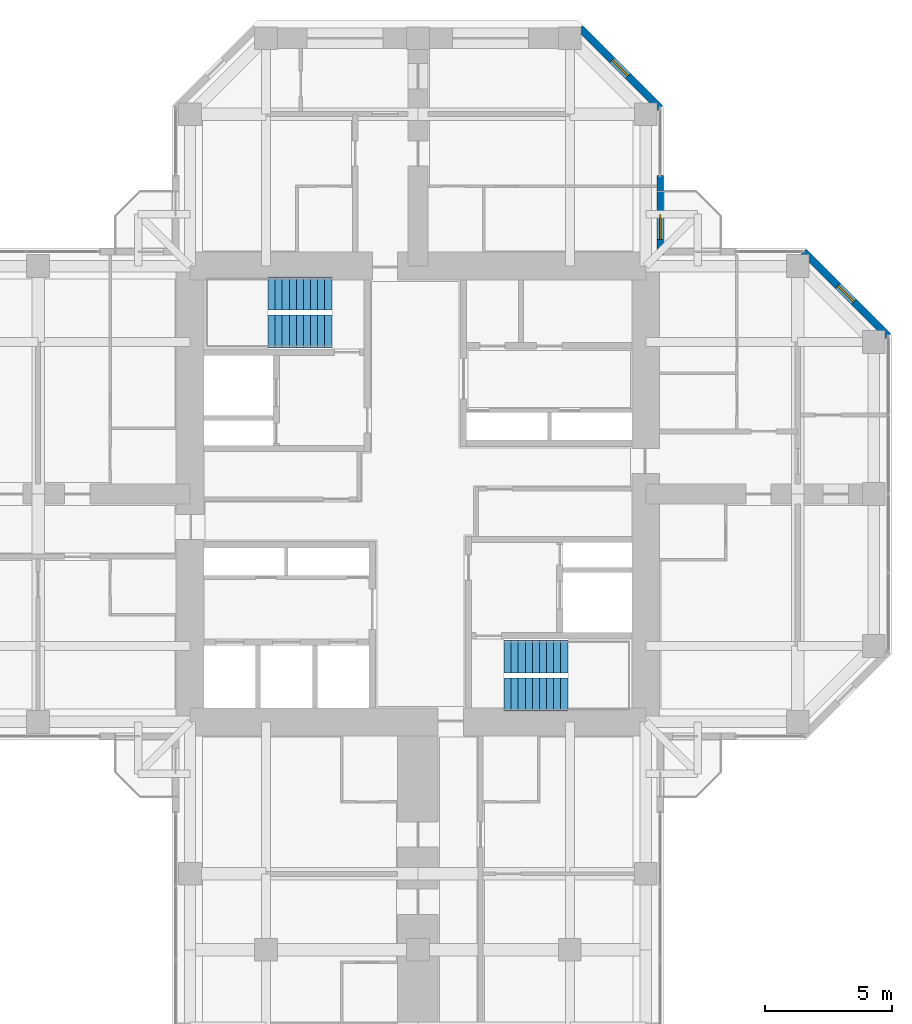
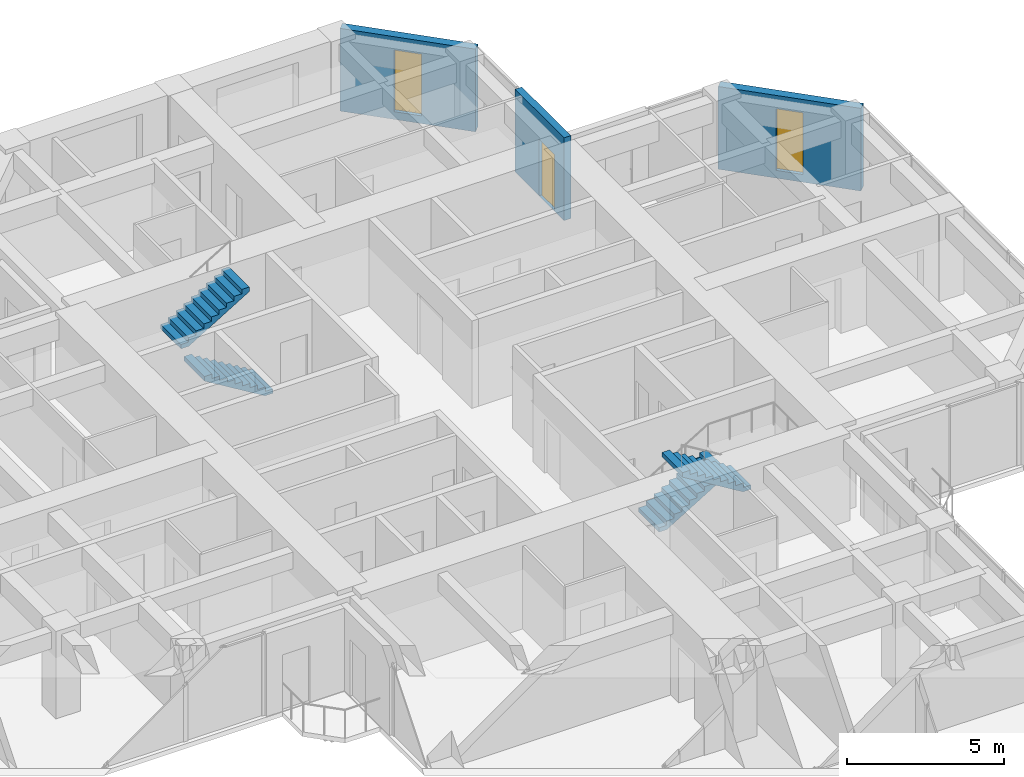
# One storey, part 13 of 14: 4 stair flights, 3 walls, 2 windows, 1 door, 3 openings, 2 elements without a shape of their own.
"""IFC4 building model written with IfcOpenShell, lengths in metres."""

from ifc_helpers import new_model, si_unit, direction, frame, frame_2d, origin, place, context, subcontext, project, spatial, polyline, rectangle, hollow_rectangle, outline, extrude, material, layer, layer_set, constituent, constituent_set, type_object, element, fill, aggregate, save


model = new_model("IFC4")

# Units and contexts
model_context = context("Model", 3, precision=1e-05, world=origin(), true_north=direction((0.0, 1.0)))
body_context = subcontext(model_context, "Body", "Model", "MODEL_VIEW")
ifc_project = project(units=[si_unit("LENGTHUNIT", "METRE"), si_unit("AREAUNIT", "SQUARE_METRE"), si_unit("VOLUMEUNIT", "CUBIC_METRE"), si_unit("PLANEANGLEUNIT", "RADIAN"), si_unit("MASSUNIT", "GRAM", prefix="KILO")], contexts=[model_context])

# Site, building, storey
site_placement = place(None, origin())
site = spatial("IfcSite", under=ifc_project, at=site_placement, CompositionType="ELEMENT")
building_placement = place(site_placement, origin())
building = spatial("IfcBuilding", under=site, at=building_placement, Name="Torre Cruceta", CompositionType="ELEMENT")
storey_placement = place(building_placement, frame((0.0, 0.0, 200.10009765625)))
storey = spatial("IfcBuildingStorey", under=building, at=storey_placement, Name="L50", CompositionType="ELEMENT", Elevation=200.10009765625)

# Wall, opening, window
ifc_material_1 = material(Name="Concrete G30 (fck 30 MPa)", Category="concrete")
ifc_layer_1 = layer(ifc_material_1, 0.300048828125)
ifc_layer_set_1 = layer_set([ifc_layer_1], Name="Concrete G30 (fck 30 MPa)")
wall_type_1 = type_object("IfcWallType", Name="EXPOSED CONCRETE FACADE WALL 300", PredefinedType="SOLIDWALL", material=ifc_layer_set_1)
wall_1_placement = place(storey_placement, frame((18.570068359375, 6.236083984375, 0.0), z_axis=(0.0, 0.0, 1.0), x_axis=(-0.707106781187, 0.707106781187, 0.0)))
wall_1 = element("IfcWall", 1, at=wall_1_placement, inside=storey, type_object=wall_type_1, Name="EW1 facade wall L50 E chamfer 03", PredefinedType="SOLIDWALL", context=body_context, shape_type="SweptSolid", body=[
    extrude(rectangle(XDim=4.715087890625, YDim=0.300048828125, at=frame_2d((2.357421875, 0.0))), origin(), (0.0, 0.0, 1.0), 3.219970703125),
])
opening_1_placement = place(wall_1_placement, frame((1.907470703125, 0.0, 0.300048828125)))
opening_1 = element("IfcOpeningElement", 2, at=opening_1_placement, cuts=wall_1, Name="Opening WN5", PredefinedType="OPENING", context=body_context, shape_type="SweptSolid", body=[
    extrude(rectangle(XDim=0.89990234375, YDim=2.39990234375, at=frame_2d((0.449951171875, 1.199951171875))), frame((0.0, 0.159912109375, 0.0), z_axis=(0.0, -1.0, 0.0), x_axis=(1.0, 0.0, 0.0)), (0.0, 0.0, 1.0), 0.320068359375),
])
ifc_material_2 = material(Name="Aluminium window frame", Category="aluminium")
ifc_constituent_1 = constituent(ifc_material_2, Name="Frame")
ifc_material_3 = material(Name="Laminated insulating glass unit, low-iron clear", Category="glass")
ifc_constituent_2 = constituent(ifc_material_3, Name="Glazing")
ifc_constituent_set_1 = constituent_set(constituents=[ifc_constituent_1, ifc_constituent_2], Name="Aluminium window")
window_type = type_object("IfcWindowType", Name="CHAMFER SLOT WINDOW 900X2400", PartitioningType="SINGLE_PANEL", PredefinedType="WINDOW", material=ifc_constituent_set_1)
window_1_placement = place(opening_1_placement, origin())
window_1 = element("IfcWindow", 3, at=window_1_placement, inside=storey, type_object=window_type, Name="WN5 L50 E 1", OverallHeight=2.39990234375, OverallWidth=0.89990234375, PartitioningType="SINGLE_PANEL", PredefinedType="WINDOW", context=body_context, shape_type="SweptSolid", body=[
    extrude(hollow_rectangle(XDim=0.89990234375, YDim=2.39990234375, WallThickness=0.06005859375, at=frame_2d((0.449951171875, 1.199951171875))), frame((0.0, 0.030029296875, 0.0), z_axis=(0.0, -1.0, 0.0), x_axis=(1.0, 0.0, 0.0)), (0.0, 0.0, 1.0), 0.06005859375),
    extrude(rectangle(XDim=0.77880859375, YDim=2.27880859375, at=frame_2d((0.449951171875, 1.199951171875))), frame((0.0, 0.030029296875, 0.0), z_axis=(0.0, -1.0, 0.0), x_axis=(1.0, 0.0, 0.0)), (0.0, 0.0, 1.0), 0.06005859375),
])
fill(opening_1, window_1)

wall_2_placement = place(storey_placement, frame((9.570068359375, 15.236083984375, 0.0), z_axis=(0.0, 0.0, 1.0), x_axis=(-0.707134062067, 0.707079499254, 0.0)))
wall_2 = element("IfcWall", 4, at=wall_2_placement, inside=storey, type_object=wall_type_1, Name="EW1 facade wall L50 N chamfer 06", PredefinedType="SOLIDWALL", context=body_context, shape_type="SweptSolid", body=[
    extrude(rectangle(XDim=4.474609375, YDim=0.300048828125, at=frame_2d((2.2373046875, 0.0))), origin(), (0.0, 0.0, 1.0), 3.219970703125),
])
opening_2_placement = place(wall_2_placement, frame((1.787109375, 0.0, 0.300048828125)))
opening_2 = element("IfcOpeningElement", 5, at=opening_2_placement, cuts=wall_2, Name="Opening WN5", PredefinedType="OPENING", context=body_context, shape_type="SweptSolid", body=[
    extrude(rectangle(XDim=0.89990234375, YDim=2.39990234375, at=frame_2d((0.449951171875, 1.199951171875))), frame((0.0, 0.159912109375, 0.0), z_axis=(0.0, -1.0, 0.0), x_axis=(1.0, 0.0, 0.0)), (0.0, 0.0, 1.0), 0.320068359375),
])
window_2_placement = place(opening_2_placement, origin())
window_2 = element("IfcWindow", 6, at=window_2_placement, inside=storey, type_object=window_type, Name="WN5 L50 N 1", OverallHeight=2.39990234375, OverallWidth=0.89990234375, PartitioningType="SINGLE_PANEL", PredefinedType="WINDOW", context=body_context, shape_type="SweptSolid", body=[
    extrude(hollow_rectangle(XDim=0.89990234375, YDim=2.39990234375, WallThickness=0.06005859375, at=frame_2d((0.449951171875, 1.199951171875))), frame((0.0, 0.030029296875, 0.0), z_axis=(0.0, -1.0, 0.0), x_axis=(1.0, 0.0, 0.0)), (0.0, 0.0, 1.0), 0.06005859375),
    extrude(rectangle(XDim=0.77880859375, YDim=2.27880859375, at=frame_2d((0.449951171875, 1.199951171875))), frame((0.0, 0.030029296875, 0.0), z_axis=(0.0, -1.0, 0.0), x_axis=(1.0, 0.0, 0.0)), (0.0, 0.0, 1.0), 0.06005859375),
])
fill(opening_2, window_2)

# Wall, opening, door
ifc_material_4 = material(Name="Concrete G30 (fck 30 MPa)", Category="concrete")
ifc_layer_2 = layer(ifc_material_4, 0.25)
ifc_layer_set_2 = layer_set([ifc_layer_2], Name="Concrete G30 (fck 30 MPa)")
wall_type_2 = type_object("IfcWallType", Name="WINTER GARDEN WALL 250", PredefinedType="SOLIDWALL", material=ifc_layer_set_2)
wall_3_placement = place(storey_placement, frame((9.570068359375, 9.445068359375, 0.0), z_axis=(0.0, 0.0, 1.0), x_axis=(0.0, 1.0, 0.0)))
wall_3 = element("IfcWall", 7, at=wall_3_placement, inside=storey, type_object=wall_type_2, Name="EW2 winter garden wall L50 05", PredefinedType="SOLIDWALL", context=body_context, shape_type="SweptSolid", body=[
    extrude(rectangle(XDim=3.125, YDim=0.25, at=frame_2d((1.5625, 0.0))), origin(), (0.0, 0.0, 1.0), 3.219970703125),
])
opening_3_placement = place(wall_3_placement, frame((0.60009765625, 0.0, 0.0)))
opening_3 = element("IfcOpeningElement", 8, at=opening_3_placement, cuts=wall_3, Name="Opening D10", PredefinedType="OPENING", context=body_context, shape_type="SweptSolid", body=[
    extrude(rectangle(XDim=1.0, YDim=2.199951171875, at=frame_2d((0.5, 1.10009765625))), frame((0.0, 0.135009765625, 0.0), z_axis=(0.0, -1.0, 0.0), x_axis=(1.0, 0.0, 0.0)), (0.0, 0.0, 1.0), 0.27001953125),
])
ifc_material_5 = material(Name="Aluminium door frame", Category="aluminium")
ifc_constituent_3 = constituent(ifc_material_5, Name="Frame")
ifc_material_6 = material(Name="Laminated safety glass", Category="glass")
ifc_constituent_4 = constituent(ifc_material_6, Name="Glazing")
ifc_constituent_set_2 = constituent_set(constituents=[ifc_constituent_3, ifc_constituent_4], Name="Aluminium glazed door")
door_type = type_object("IfcDoorType", Name="BALCONY DOOR 1000X2200", OperationType="SINGLE_SWING_RIGHT", PredefinedType="DOOR", material=ifc_constituent_set_2)
door_placement = place(opening_3_placement, origin())
door = element("IfcDoor", 9, at=door_placement, inside=storey, type_object=door_type, Name="D10 balcony door L50 05", OperationType="SINGLE_SWING_LEFT", OverallHeight=2.199951171875, OverallWidth=1.0, PredefinedType="DOOR", context=body_context, shape_type="SweptSolid", body=[
    extrude(hollow_rectangle(XDim=1.0, YDim=2.199951171875, WallThickness=0.06005859375, at=frame_2d((0.5, 1.10009765625))), frame((0.0, 0.02490234375, 0.0), z_axis=(0.0, -1.0, 0.0), x_axis=(1.0, 0.0, 0.0)), (0.0, 0.0, 1.0), 0.050048828125),
    extrude(rectangle(XDim=0.87890625, YDim=2.078857421875, at=frame_2d((0.5, 1.10009765625))), frame((0.0, 0.02490234375, 0.0), z_axis=(0.0, -1.0, 0.0), x_axis=(1.0, 0.0, 0.0)), (0.0, 0.0, 1.0), 0.050048828125),
])
fill(opening_3, door)

# Stair, stair flights
ifc_material_7 = material(Name="Concrete G30 (fck 30 MPa)", Category="concrete")
stair_type = type_object("IfcStairType", Name="STAIR HALF-TURN 1300", PredefinedType="HALF_TURN_STAIR", material=ifc_material_7)
stair_1_placement = place(storey_placement, origin())
stair_1 = element("IfcStair", 10, at=stair_1_placement, inside=storey, type_object=stair_type, Name="Stair ST1 L50", PredefinedType="HALF_TURN_STAIR")
ifc_material_8 = material(Name="Concrete G30 (fck 30 MPa)", Category="concrete")
stair_flight_type = type_object("IfcStairFlightType", Name="STAIR FLIGHT 1300", PredefinedType="STRAIGHT", material=ifc_material_8)
stair_flight_1_placement = place(storey_placement, frame((-3.39990234375, 6.425048828125, 0.0), z_axis=(0.0, 0.0, 1.0), x_axis=(-1.0, 0.0, 0.0)))
stair_flight_1 = element("IfcStairFlight", 11, at=stair_flight_1_placement, type_object=stair_flight_type, Name="ST1 flight 1", NumberOfRisers=10, NumberOfTreads=9, PredefinedType="STRAIGHT", RiserHeight=0.17, TreadLength=0.28, context=body_context, shape_type="SweptSolid", body=[
    extrude(outline(polyline([(0.0, 0.0), (0.0, 0.169921875), (0.280029296875, 0.169921875), (0.280029296875, 0.340087890625), (0.56005859375, 0.340087890625), (0.56005859375, 0.510009765625), (0.840087890625, 0.510009765625), (0.840087890625, 0.679931640625), (1.1201171875, 0.679931640625), (1.1201171875, 0.85009765625), (1.39990234375, 0.85009765625), (1.39990234375, 1.02001953125), (1.679931640625, 1.02001953125), (1.679931640625, 1.18994140625), (1.9599609375, 1.18994140625), (1.9599609375, 1.360107421875), (2.239990234375, 1.360107421875), (2.239990234375, 1.530029296875), (2.52001953125, 1.530029296875), (2.52001953125, 1.699951171875), (2.52001953125, 1.354736328125), (0.288818359375, 0.0), (0.0, 0.0)])), frame((0.0, 0.64990234375, 0.0), z_axis=(0.0, -1.0, 0.0), x_axis=(1.0, 0.0, 0.0)), (0.0, 0.0, 1.0), 1.300048828125),
])
stair_flight_2_placement = place(storey_placement, frame((-5.919921875, 7.925048828125, 1.699951171875), z_axis=(0.0, 0.0, 1.0), x_axis=(1.0, 0.0, 0.0)))
stair_flight_2 = element("IfcStairFlight", 12, at=stair_flight_2_placement, type_object=stair_flight_type, Name="ST1 flight 2", NumberOfRisers=10, NumberOfTreads=9, PredefinedType="STRAIGHT", RiserHeight=0.17, TreadLength=0.28, context=body_context, shape_type="SweptSolid", body=[
    extrude(outline(polyline([(0.0, 0.0), (0.0, 0.169921875), (0.280029296875, 0.169921875), (0.280029296875, 0.340087890625), (0.56005859375, 0.340087890625), (0.56005859375, 0.510009765625), (0.840087890625, 0.510009765625), (0.840087890625, 0.679931640625), (1.1201171875, 0.679931640625), (1.1201171875, 0.85009765625), (1.39990234375, 0.85009765625), (1.39990234375, 1.02001953125), (1.679931640625, 1.02001953125), (1.679931640625, 1.18994140625), (1.9599609375, 1.18994140625), (1.9599609375, 1.360107421875), (2.239990234375, 1.360107421875), (2.239990234375, 1.530029296875), (2.52001953125, 1.530029296875), (2.52001953125, 1.699951171875), (2.52001953125, 1.354736328125), (0.288818359375, 0.0), (0.0, 0.0)])), frame((0.0, 0.64990234375, 0.0), z_axis=(0.0, -1.0, 0.0), x_axis=(1.0, 0.0, 0.0)), (0.0, 0.0, 1.0), 1.300048828125),
])
aggregate(stair_1, [stair_flight_1, stair_flight_2])

stair_2_placement = place(storey_placement, origin())
stair_2 = element("IfcStair", 13, at=stair_2_placement, inside=storey, type_object=stair_type, Name="Stair ST2 L50", PredefinedType="HALF_TURN_STAIR")
stair_flight_3_placement = place(storey_placement, frame((3.39990234375, -6.425048828125, 0.0), z_axis=(0.0, 0.0, 1.0), x_axis=(1.0, 0.0, 0.0)))
stair_flight_3 = element("IfcStairFlight", 14, at=stair_flight_3_placement, type_object=stair_flight_type, Name="ST2 flight 1", NumberOfRisers=10, NumberOfTreads=9, PredefinedType="STRAIGHT", RiserHeight=0.17, TreadLength=0.28, context=body_context, shape_type="SweptSolid", body=[
    extrude(outline(polyline([(0.0, 0.0), (0.0, 0.169921875), (0.280029296875, 0.169921875), (0.280029296875, 0.340087890625), (0.56005859375, 0.340087890625), (0.56005859375, 0.510009765625), (0.840087890625, 0.510009765625), (0.840087890625, 0.679931640625), (1.1201171875, 0.679931640625), (1.1201171875, 0.85009765625), (1.39990234375, 0.85009765625), (1.39990234375, 1.02001953125), (1.679931640625, 1.02001953125), (1.679931640625, 1.18994140625), (1.9599609375, 1.18994140625), (1.9599609375, 1.360107421875), (2.239990234375, 1.360107421875), (2.239990234375, 1.530029296875), (2.52001953125, 1.530029296875), (2.52001953125, 1.699951171875), (2.52001953125, 1.354736328125), (0.288818359375, 0.0), (0.0, 0.0)])), frame((0.0, 0.64990234375, 0.0), z_axis=(0.0, -1.0, 0.0), x_axis=(1.0, 0.0, 0.0)), (0.0, 0.0, 1.0), 1.300048828125),
])
stair_flight_4_placement = place(storey_placement, frame((5.919921875, -7.925048828125, 1.699951171875), z_axis=(0.0, 0.0, 1.0), x_axis=(-1.0, 0.0, 0.0)))
stair_flight_4 = element("IfcStairFlight", 15, at=stair_flight_4_placement, type_object=stair_flight_type, Name="ST2 flight 2", NumberOfRisers=10, NumberOfTreads=9, PredefinedType="STRAIGHT", RiserHeight=0.17, TreadLength=0.28, context=body_context, shape_type="SweptSolid", body=[
    extrude(outline(polyline([(0.0, 0.0), (0.0, 0.169921875), (0.280029296875, 0.169921875), (0.280029296875, 0.340087890625), (0.56005859375, 0.340087890625), (0.56005859375, 0.510009765625), (0.840087890625, 0.510009765625), (0.840087890625, 0.679931640625), (1.1201171875, 0.679931640625), (1.1201171875, 0.85009765625), (1.39990234375, 0.85009765625), (1.39990234375, 1.02001953125), (1.679931640625, 1.02001953125), (1.679931640625, 1.18994140625), (1.9599609375, 1.18994140625), (1.9599609375, 1.360107421875), (2.239990234375, 1.360107421875), (2.239990234375, 1.530029296875), (2.52001953125, 1.530029296875), (2.52001953125, 1.699951171875), (2.52001953125, 1.354736328125), (0.288818359375, 0.0), (0.0, 0.0)])), frame((0.0, 0.64990234375, 0.0), z_axis=(0.0, -1.0, 0.0), x_axis=(1.0, 0.0, 0.0)), (0.0, 0.0, 1.0), 1.300048828125),
])
aggregate(stair_2, [stair_flight_3, stair_flight_4])

save(model, "model.ifc")
